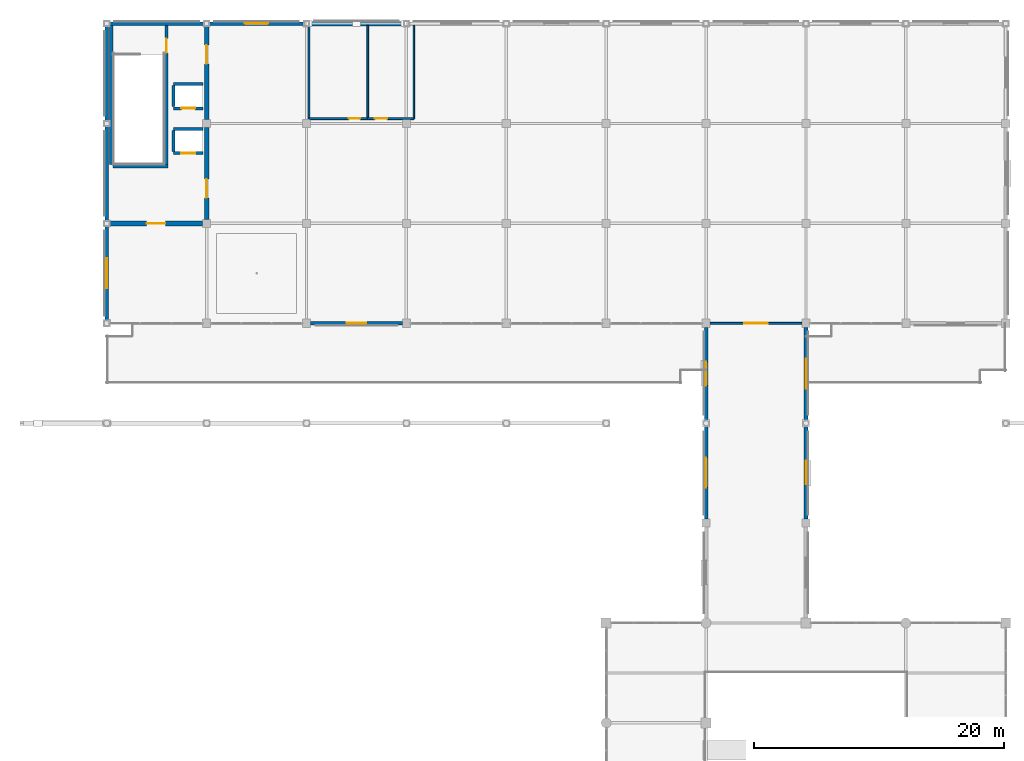
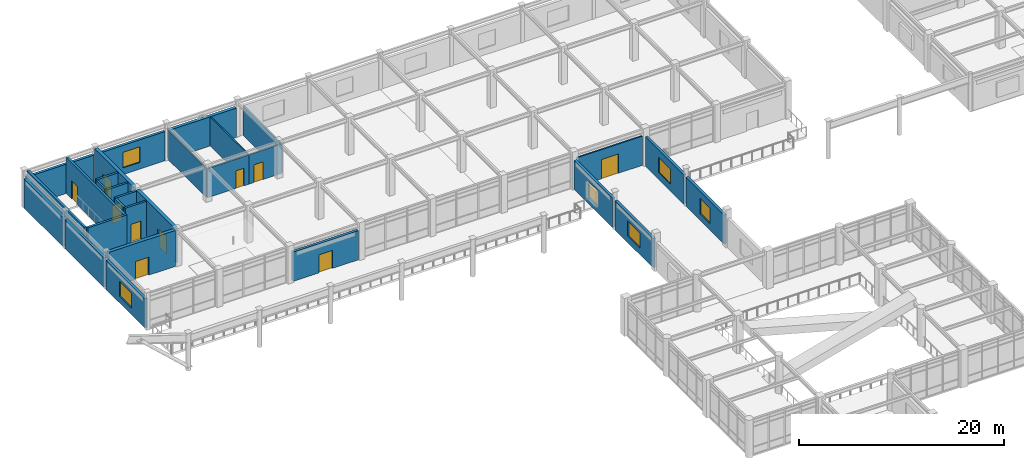
# One storey, part 62 of 78: 29 walls, 10 doors, 6 windows, 16 openings.
"""IFC4 building model written with IfcOpenShell, lengths in metres."""

from ifc_helpers import new_model, si_unit, direction, frame, frame_2d, origin, place, context, subcontext, project, spatial, rectangle, extrude, material, layer, layer_set, type_object, element, fill, save


model = new_model("IFC4")

# Units and contexts
model_context = context("Model", 3, precision=1e-05, world=origin(), true_north=direction((0.0, 1.0)))
body_context = subcontext(model_context, "Body", "Model", "MODEL_VIEW")
ifc_project = project(units=[si_unit("LENGTHUNIT", "METRE"), si_unit("AREAUNIT", "SQUARE_METRE"), si_unit("VOLUMEUNIT", "CUBIC_METRE"), si_unit("PLANEANGLEUNIT", "RADIAN"), si_unit("MASSUNIT", "GRAM", prefix="KILO")], contexts=[model_context])

# Site, building, storey
site_placement = place(None, origin())
site = spatial("IfcSite", under=ifc_project, at=site_placement, CompositionType="ELEMENT")
building_placement = place(site_placement, origin())
building = spatial("IfcBuilding", under=site, at=building_placement, Name="Solmirada Galleria", CompositionType="ELEMENT")
storey_placement = place(building_placement, frame((0.0, 0.0, 23.89990234375)))
storey = spatial("IfcBuildingStorey", under=building, at=storey_placement, Name="L05", CompositionType="ELEMENT", Elevation=23.89990234375)

# Wall, opening, door
ifc_material_1 = material(Name="Concrete C40/50", Category="concrete")
ifc_layer_1 = layer(ifc_material_1, 0.3798828125)
ifc_layer_set_1 = layer_set([ifc_layer_1], Name="Concrete C40/50")
wall_type_1 = type_object("IfcWallType", Name="WL-CORE-380", PredefinedType="SHEAR", material=ifc_layer_set_1)
wall_1_placement = place(storey_placement, frame((40.202880859375, 104.0, 0.0), z_axis=(0.0, 0.0, 1.0), x_axis=(1.0, 0.0, 0.0)))
wall_1 = element("IfcWall", 1, at=wall_1_placement, inside=storey, type_object=wall_type_1, Name="Core C1 shear wall L05 S1", PredefinedType="SHEAR", context=body_context, shape_type="SweptSolid", body=[
    extrude(rectangle(XDim=7.47216796875, YDim=0.3798828125, at=frame_2d((3.736083984375, 0.0))), origin(), (0.0, 0.0, 1.0), 4.280029296875),
])
opening_1_placement = place(wall_1_placement, frame((2.986083984375, 0.0, 0.0)))
opening_1 = element("IfcOpeningElement", 2, at=opening_1_placement, cuts=wall_1, Name="Opening LDY-126", PredefinedType="OPENING", context=body_context, shape_type="SweptSolid", body=[
    extrude(rectangle(XDim=1.5, YDim=2.14990234375, at=frame_2d((0.75, 1.074951171875))), frame((0.0, 0.199951171875, 0.0), z_axis=(0.0, -1.0, 0.0), x_axis=(1.0, 0.0, 0.0)), (0.0, 0.0, 1.0), 0.39990234375),
])
ifc_material_2 = material(Name="Fire-rated painted steel door assembly", Category="steel")
door_type_1 = type_object("IfcDoorType", Name="DR-LOBBY-150X215", OperationType="DOUBLE_DOOR_SINGLE_SWING", PredefinedType="DOOR", material=ifc_material_2)
door_1_placement = place(opening_1_placement, origin())
door_1 = element("IfcDoor", 3, at=door_1_placement, inside=storey, type_object=door_type_1, Name="Core C1 lobby access fire door LDY-126", OperationType="DOUBLE_DOOR_SINGLE_SWING", OverallHeight=2.14990234375, OverallWidth=1.5, PredefinedType="DOOR", context=body_context, shape_type="SweptSolid", body=[
    extrude(rectangle(XDim=1.5, YDim=2.14990234375, at=frame_2d((0.75, 1.074951171875))), frame((0.0, 0.02490234375, 0.0), z_axis=(0.0, -1.0, 0.0), x_axis=(1.0, 0.0, 0.0)), (0.0, 0.0, 1.0), 0.050048828125),
])
fill(opening_1, door_1)

wall_2_placement = place(storey_placement, frame((48.0, 104.324951171875, 0.0), z_axis=(0.0, 0.0, 1.0), x_axis=(0.0, 1.0, 0.0)))
wall_2 = element("IfcWall", 4, at=wall_2_placement, inside=storey, type_object=wall_type_1, Name="Core C1 shear wall L05 E1", PredefinedType="SHEAR", context=body_context, shape_type="SweptSolid", body=[
    extrude(rectangle(XDim=7.35009765625, YDim=0.3798828125, at=frame_2d((3.675048828125, 0.0))), origin(), (0.0, 0.0, 1.0), 4.280029296875),
])
opening_2_placement = place(wall_2_placement, frame((1.7119140625, 0.0, 0.0)))
opening_2 = element("IfcOpeningElement", 5, at=opening_2_placement, cuts=wall_2, Name="Opening LDY-127", PredefinedType="OPENING", context=body_context, shape_type="SweptSolid", body=[
    extrude(rectangle(XDim=1.5, YDim=2.14990234375, at=frame_2d((0.75, 1.074951171875))), frame((0.0, 0.199951171875, 0.0), z_axis=(0.0, -1.0, 0.0), x_axis=(1.0, 0.0, 0.0)), (0.0, 0.0, 1.0), 0.39990234375),
])
door_2_placement = place(opening_2_placement, origin())
door_2 = element("IfcDoor", 6, at=door_2_placement, inside=storey, type_object=door_type_1, Name="Core C1 lobby access fire door LDY-127", OperationType="DOUBLE_DOOR_SINGLE_SWING", OverallHeight=2.14990234375, OverallWidth=1.5, PredefinedType="DOOR", context=body_context, shape_type="SweptSolid", body=[
    extrude(rectangle(XDim=1.5, YDim=2.14990234375, at=frame_2d((0.75, 1.074951171875))), frame((0.0, 0.02490234375, 0.0), z_axis=(0.0, -1.0, 0.0), x_axis=(1.0, 0.0, 0.0)), (0.0, 0.0, 1.0), 0.050048828125),
])
fill(opening_2, door_2)

wall_3_placement = place(storey_placement, frame((48.0, 112.324951171875, 0.0), z_axis=(0.0, 0.0, 1.0), x_axis=(0.0, 1.0, 0.0)))
wall_3 = element("IfcWall", 7, at=wall_3_placement, inside=storey, type_object=wall_type_1, Name="Core C1 shear wall L05 E2", PredefinedType="SHEAR", context=body_context, shape_type="SweptSolid", body=[
    extrude(rectangle(XDim=7.47216796875, YDim=0.3798828125, at=frame_2d((3.736083984375, 0.0))), origin(), (0.0, 0.0, 1.0), 4.280029296875),
])
opening_3_placement = place(wall_3_placement, frame((4.447998046875, 0.0, 0.0)))
opening_3 = element("IfcOpeningElement", 8, at=opening_3_placement, cuts=wall_3, Name="Opening LDY-128", PredefinedType="OPENING", context=body_context, shape_type="SweptSolid", body=[
    extrude(rectangle(XDim=1.5, YDim=2.14990234375, at=frame_2d((0.75, 1.074951171875))), frame((0.0, 0.199951171875, 0.0), z_axis=(0.0, -1.0, 0.0), x_axis=(1.0, 0.0, 0.0)), (0.0, 0.0, 1.0), 0.39990234375),
])
door_3_placement = place(opening_3_placement, origin())
door_3 = element("IfcDoor", 9, at=door_3_placement, inside=storey, type_object=door_type_1, Name="Core C1 lobby access fire door LDY-128", OperationType="DOUBLE_DOOR_SINGLE_SWING", OverallHeight=2.14990234375, OverallWidth=1.5, PredefinedType="DOOR", context=body_context, shape_type="SweptSolid", body=[
    extrude(rectangle(XDim=1.5, YDim=2.14990234375, at=frame_2d((0.75, 1.074951171875))), frame((0.0, 0.02490234375, 0.0), z_axis=(0.0, -1.0, 0.0), x_axis=(1.0, 0.0, 0.0)), (0.0, 0.0, 1.0), 0.050048828125),
])
fill(opening_3, door_3)

# Wall, opening, window
ifc_material_3 = material(Name="Precast concrete C40/50", Category="concrete")
ifc_layer_2 = layer(ifc_material_3, 0.2900390625)
ifc_layer_set_2 = layer_set([ifc_layer_2], Name="Precast concrete C40/50")
wall_type_2 = type_object("IfcWallType", Name="WL-EXT-290", PredefinedType="STANDARD", material=ifc_layer_set_2)
wall_4_placement = place(storey_placement, frame((88.0, 80.324951171875, 0.0), z_axis=(0.0, 0.0, 1.0), x_axis=(0.0, 1.0, 0.0)))
wall_4 = element("IfcWall", 10, at=wall_4_placement, inside=storey, type_object=wall_type_2, Name="Exterior wall L05 bay 010", PredefinedType="STANDARD", context=body_context, shape_type="SweptSolid", body=[
    extrude(rectangle(XDim=7.446533203125, YDim=0.2900390625, at=frame_2d((3.72314453125, 0.0))), origin(), (0.0, 0.0, 1.0), 3.47998046875),
])
opening_4_placement = place(wall_4_placement, frame((2.52294921875, 0.0, 0.800048828125)))
opening_4 = element("IfcOpeningElement", 11, at=opening_4_placement, cuts=wall_4, Name="Opening WN27", PredefinedType="OPENING", context=body_context, shape_type="SweptSolid", body=[
    extrude(rectangle(XDim=2.39990234375, YDim=1.800048828125, at=frame_2d((1.199951171875, 0.89990234375))), frame((0.0, 0.155029296875, 0.0), z_axis=(0.0, -1.0, 0.0), x_axis=(1.0, 0.0, 0.0)), (0.0, 0.0, 1.0), 0.31005859375),
])
ifc_material_4 = material(Name="Impact-resistant low-E double glazing", Category="glass")
window_type_1 = type_object("IfcWindowType", Name="WIN-MOD-240X180", PartitioningType="DOUBLE_PANEL_VERTICAL", PredefinedType="WINDOW", material=ifc_material_4)
window_1_placement = place(opening_4_placement, origin())
window_1 = element("IfcWindow", 12, at=window_1_placement, inside=storey, type_object=window_type_1, Name="Window L05-151", OverallHeight=1.800048828125, OverallWidth=2.39990234375, PartitioningType="DOUBLE_PANEL_VERTICAL", PredefinedType="WINDOW", context=body_context, shape_type="SweptSolid", body=[
    extrude(rectangle(XDim=2.39990234375, YDim=1.800048828125, at=frame_2d((1.199951171875, 0.89990234375))), frame((0.0, 0.030029296875, 0.0), z_axis=(0.0, -1.0, 0.0), x_axis=(1.0, 0.0, 0.0)), (0.0, 0.0, 1.0), 0.06005859375),
])
fill(opening_4, window_1)

wall_5_placement = place(storey_placement, frame((88.0, 88.228515625, 0.0), z_axis=(0.0, 0.0, 1.0), x_axis=(0.0, 1.0, 0.0)))
wall_5 = element("IfcWall", 13, at=wall_5_placement, inside=storey, type_object=wall_type_2, Name="Exterior wall L05 bay 011", PredefinedType="STANDARD", context=body_context, shape_type="SweptSolid", body=[
    extrude(rectangle(XDim=7.446533203125, YDim=0.2900390625, at=frame_2d((3.72314453125, 0.0))), origin(), (0.0, 0.0, 1.0), 3.47998046875),
])
opening_5_placement = place(wall_5_placement, frame((2.77294921875, 0.0, 0.800048828125)))
opening_5 = element("IfcOpeningElement", 14, at=opening_5_placement, cuts=wall_5, Name="Opening WN5", PredefinedType="OPENING", context=body_context, shape_type="SweptSolid", body=[
    extrude(rectangle(XDim=1.89990234375, YDim=1.85009765625, at=frame_2d((0.949951171875, 0.925048828125))), frame((0.0, 0.155029296875, 0.0), z_axis=(0.0, -1.0, 0.0), x_axis=(1.0, 0.0, 0.0)), (0.0, 0.0, 1.0), 0.31005859375),
])
window_type_2 = type_object("IfcWindowType", Name="WIN-AVE-190X185", PartitioningType="SINGLE_PANEL", PredefinedType="WINDOW", material=ifc_material_4)
window_2_placement = place(opening_5_placement, origin())
window_2 = element("IfcWindow", 15, at=window_2_placement, inside=storey, type_object=window_type_2, Name="Window L05-152", OverallHeight=1.85009765625, OverallWidth=1.89990234375, PartitioningType="SINGLE_PANEL", PredefinedType="WINDOW", context=body_context, shape_type="SweptSolid", body=[
    extrude(rectangle(XDim=1.89990234375, YDim=1.85009765625, at=frame_2d((0.949951171875, 0.925048828125))), frame((0.0, 0.030029296875, 0.0), z_axis=(0.0, -1.0, 0.0), x_axis=(1.0, 0.0, 0.0)), (0.0, 0.0, 1.0), 0.06005859375),
])
fill(opening_5, window_2)

# Wall, opening, door
wall_6_placement = place(storey_placement, frame((63.675048828125, 96.0, 0.0), z_axis=(0.0, 0.0, 1.0), x_axis=(-1.0, 0.0, 0.0)))
wall_6 = element("IfcWall", 16, at=wall_6_placement, inside=storey, type_object=wall_type_2, Name="Exterior wall L05 bay 015", PredefinedType="STANDARD", context=body_context, shape_type="SweptSolid", body=[
    extrude(rectangle(XDim=7.35009765625, YDim=0.2900390625, at=frame_2d((3.675048828125, 0.0))), origin(), (0.0, 0.0, 1.0), 3.47998046875),
])
opening_6_placement = place(wall_6_placement, frame((2.89990234375, 0.0, 0.0)))
opening_6 = element("IfcOpeningElement", 17, at=opening_6_placement, cuts=wall_6, Name="Opening TD-077", PredefinedType="OPENING", context=body_context, shape_type="SweptSolid", body=[
    extrude(rectangle(XDim=1.550048828125, YDim=2.14990234375, at=frame_2d((0.77490234375, 1.074951171875))), frame((0.0, 0.155029296875, 0.0), z_axis=(0.0, -1.0, 0.0), x_axis=(1.0, 0.0, 0.0)), (0.0, 0.0, 1.0), 0.31005859375),
])
ifc_material_5 = material(Name="Thermally broken aluminium and laminated glass door", Category="aluminium")
door_type_2 = type_object("IfcDoorType", Name="DR-TERR-155X215", OperationType="DOUBLE_DOOR_SINGLE_SWING", PredefinedType="DOOR", material=ifc_material_5)
door_4_placement = place(opening_6_placement, origin())
door_4 = element("IfcDoor", 18, at=door_4_placement, inside=storey, type_object=door_type_2, Name="Planted terrace access door TD-077", OperationType="DOUBLE_DOOR_SINGLE_SWING", OverallHeight=2.14990234375, OverallWidth=1.550048828125, PredefinedType="DOOR", context=body_context, shape_type="SweptSolid", body=[
    extrude(rectangle(XDim=1.550048828125, YDim=2.14990234375, at=frame_2d((0.77490234375, 1.074951171875))), frame((0.0, 0.02490234375, 0.0), z_axis=(0.0, -1.0, 0.0), x_axis=(1.0, 0.0, 0.0)), (0.0, 0.0, 1.0), 0.050048828125),
])
fill(opening_6, door_4)

# Wall, opening, window
wall_7_placement = place(storey_placement, frame((40.0, 96.202880859375, 0.0), z_axis=(0.0, 0.0, 1.0), x_axis=(0.0, 1.0, 0.0)))
wall_7 = element("IfcWall", 19, at=wall_7_placement, inside=storey, type_object=wall_type_2, Name="Exterior wall L05 bay 018", PredefinedType="STANDARD", context=body_context, shape_type="SweptSolid", body=[
    extrude(rectangle(XDim=7.59423828125, YDim=0.2900390625, at=frame_2d((3.797119140625, 0.0))), origin(), (0.0, 0.0, 1.0), 3.47998046875),
])
opening_7_placement = place(wall_7_placement, frame((2.596923828125, 0.0, 0.800048828125)))
opening_7 = element("IfcOpeningElement", 20, at=opening_7_placement, cuts=wall_7, Name="Opening WN27", PredefinedType="OPENING", context=body_context, shape_type="SweptSolid", body=[
    extrude(rectangle(XDim=2.39990234375, YDim=1.800048828125, at=frame_2d((1.199951171875, 0.89990234375))), frame((0.0, 0.155029296875, 0.0), z_axis=(0.0, -1.0, 0.0), x_axis=(1.0, 0.0, 0.0)), (0.0, 0.0, 1.0), 0.31005859375),
])
window_3_placement = place(opening_7_placement, origin())
window_3 = element("IfcWindow", 21, at=window_3_placement, inside=storey, type_object=window_type_1, Name="Window L05-153", OverallHeight=1.800048828125, OverallWidth=2.39990234375, PartitioningType="DOUBLE_PANEL_VERTICAL", PredefinedType="WINDOW", context=body_context, shape_type="SweptSolid", body=[
    extrude(rectangle(XDim=2.39990234375, YDim=1.800048828125, at=frame_2d((1.199951171875, 0.89990234375))), frame((0.0, 0.030029296875, 0.0), z_axis=(0.0, -1.0, 0.0), x_axis=(1.0, 0.0, 0.0)), (0.0, 0.0, 1.0), 0.06005859375),
])
fill(opening_7, window_3)

# Walls
for number, where, z_axis, x_axis, name in (
    (22, (40.0, 104.202880859375, 0.0), (0.0, 0.0, 1.0), (0.0, 1.0, 0.0), "Exterior wall L05 bay 019"),
    (23, (40.0, 112.202880859375, 0.0), (0.0, 0.0, 1.0), (0.0, 1.0, 0.0), "Exterior wall L05 bay 020"),
    (24, (40.202880859375, 120.0, 0.0), (0.0, 0.0, 1.0), (1.0, 0.0, 0.0), "Exterior wall L05 bay 021"),
):
    element("IfcWall", number, at=place(storey_placement, frame(where, z_axis=z_axis, x_axis=x_axis)), inside=storey, type_object=wall_type_2, Name=name, PredefinedType="STANDARD", context=body_context, shape_type="SweptSolid", body=[
        extrude(rectangle(XDim=7.59423828125, YDim=0.2900390625, at=frame_2d((3.797119140625, 0.0))), origin(), (0.0, 0.0, 1.0), 3.47998046875),
    ])

# Wall, opening, window
wall_8_placement = place(storey_placement, frame((48.202880859375, 120.0, 0.0), z_axis=(0.0, 0.0, 1.0), x_axis=(1.0, 0.0, 0.0)))
wall_8 = element("IfcWall", 25, at=wall_8_placement, inside=storey, type_object=wall_type_2, Name="Exterior wall L05 bay 022", PredefinedType="STANDARD", context=body_context, shape_type="SweptSolid", body=[
    extrude(rectangle(XDim=7.59423828125, YDim=0.2900390625, at=frame_2d((3.797119140625, 0.0))), origin(), (0.0, 0.0, 1.0), 3.47998046875),
])
opening_8_placement = place(wall_8_placement, frame((2.846923828125, 0.0, 0.800048828125)))
opening_8 = element("IfcOpeningElement", 26, at=opening_8_placement, cuts=wall_8, Name="Opening WN5", PredefinedType="OPENING", context=body_context, shape_type="SweptSolid", body=[
    extrude(rectangle(XDim=1.89990234375, YDim=1.85009765625, at=frame_2d((0.949951171875, 0.925048828125))), frame((0.0, 0.155029296875, 0.0), z_axis=(0.0, -1.0, 0.0), x_axis=(1.0, 0.0, 0.0)), (0.0, 0.0, 1.0), 0.31005859375),
])
window_4_placement = place(opening_8_placement, origin())
window_4 = element("IfcWindow", 27, at=window_4_placement, inside=storey, type_object=window_type_2, Name="Window L05-154", OverallHeight=1.85009765625, OverallWidth=1.89990234375, PartitioningType="SINGLE_PANEL", PredefinedType="WINDOW", context=body_context, shape_type="SweptSolid", body=[
    extrude(rectangle(XDim=1.89990234375, YDim=1.85009765625, at=frame_2d((0.949951171875, 0.925048828125))), frame((0.0, 0.030029296875, 0.0), z_axis=(0.0, -1.0, 0.0), x_axis=(1.0, 0.0, 0.0)), (0.0, 0.0, 1.0), 0.06005859375),
])
fill(opening_8, window_4)

wall_9_placement = place(storey_placement, frame((96.0, 95.675048828125, 0.0), z_axis=(0.0, 0.0, 1.0), x_axis=(0.0, -1.0, 0.0)))
wall_9 = element("IfcWall", 28, at=wall_9_placement, inside=storey, type_object=wall_type_2, Name="Exterior wall L05 bay 035", PredefinedType="STANDARD", context=body_context, shape_type="SweptSolid", body=[
    extrude(rectangle(XDim=7.446533203125, YDim=0.2900390625, at=frame_2d((3.72314453125, 0.0))), origin(), (0.0, 0.0, 1.0), 3.47998046875),
])
opening_9_placement = place(wall_9_placement, frame((2.52294921875, 0.0, 0.800048828125)))
opening_9 = element("IfcOpeningElement", 29, at=opening_9_placement, cuts=wall_9, Name="Opening WN27", PredefinedType="OPENING", context=body_context, shape_type="SweptSolid", body=[
    extrude(rectangle(XDim=2.39990234375, YDim=1.800048828125, at=frame_2d((1.199951171875, 0.89990234375))), frame((0.0, 0.155029296875, 0.0), z_axis=(0.0, -1.0, 0.0), x_axis=(1.0, 0.0, 0.0)), (0.0, 0.0, 1.0), 0.31005859375),
])
window_5_placement = place(opening_9_placement, origin())
window_5 = element("IfcWindow", 30, at=window_5_placement, inside=storey, type_object=window_type_1, Name="Window L05-163", OverallHeight=1.800048828125, OverallWidth=2.39990234375, PartitioningType="DOUBLE_PANEL_VERTICAL", PredefinedType="WINDOW", context=body_context, shape_type="SweptSolid", body=[
    extrude(rectangle(XDim=2.39990234375, YDim=1.800048828125, at=frame_2d((1.199951171875, 0.89990234375))), frame((0.0, 0.030029296875, 0.0), z_axis=(0.0, -1.0, 0.0), x_axis=(1.0, 0.0, 0.0)), (0.0, 0.0, 1.0), 0.06005859375),
])
fill(opening_9, window_5)

wall_10_placement = place(storey_placement, frame((96.0, 87.771484375, 0.0), z_axis=(0.0, 0.0, 1.0), x_axis=(0.0, -1.0, 0.0)))
wall_10 = element("IfcWall", 31, at=wall_10_placement, inside=storey, type_object=wall_type_2, Name="Exterior wall L05 bay 036", PredefinedType="STANDARD", context=body_context, shape_type="SweptSolid", body=[
    extrude(rectangle(XDim=7.446533203125, YDim=0.2900390625, at=frame_2d((3.72314453125, 0.0))), origin(), (0.0, 0.0, 1.0), 3.47998046875),
])
opening_10_placement = place(wall_10_placement, frame((2.77294921875, 0.0, 0.800048828125)))
opening_10 = element("IfcOpeningElement", 32, at=opening_10_placement, cuts=wall_10, Name="Opening WN5", PredefinedType="OPENING", context=body_context, shape_type="SweptSolid", body=[
    extrude(rectangle(XDim=1.89990234375, YDim=1.85009765625, at=frame_2d((0.949951171875, 0.925048828125))), frame((0.0, 0.155029296875, 0.0), z_axis=(0.0, -1.0, 0.0), x_axis=(1.0, 0.0, 0.0)), (0.0, 0.0, 1.0), 0.31005859375),
])
window_6_placement = place(opening_10_placement, origin())
window_6 = element("IfcWindow", 33, at=window_6_placement, inside=storey, type_object=window_type_2, Name="Window L05-164", OverallHeight=1.85009765625, OverallWidth=1.89990234375, PartitioningType="SINGLE_PANEL", PredefinedType="WINDOW", context=body_context, shape_type="SweptSolid", body=[
    extrude(rectangle(XDim=1.89990234375, YDim=1.85009765625, at=frame_2d((0.949951171875, 0.925048828125))), frame((0.0, 0.030029296875, 0.0), z_axis=(0.0, -1.0, 0.0), x_axis=(1.0, 0.0, 0.0)), (0.0, 0.0, 1.0), 0.06005859375),
])
fill(opening_10, window_6)

# Wall, opening, door
ifc_layer_3 = layer(ifc_material_1, 0.239990234375)
ifc_layer_set_3 = layer_set([ifc_layer_3], Name="Concrete C40/50")
wall_type_3 = type_object("IfcWallType", Name="WL-HOIST-240", PredefinedType="PARTITIONING", material=ifc_layer_set_3)
wall_11_placement = place(storey_placement, frame((45.344970703125, 113.219970703125, 0.0), z_axis=(0.0, 0.0, 1.0), x_axis=(1.0, 0.0, 0.0)))
wall_11 = element("IfcWall", 34, at=wall_11_placement, inside=storey, type_object=wall_type_3, Name="Lift LP1 hoistway front wall L05", PredefinedType="PARTITIONING", context=body_context, shape_type="SweptSolid", body=[
    extrude(rectangle(XDim=2.375, YDim=0.239990234375, at=frame_2d((1.1875, 0.0))), origin(), (0.0, 0.0, 1.0), 4.280029296875),
])
opening_11_placement = place(wall_11_placement, frame((0.636962890625, 0.0, 0.0)))
opening_11 = element("IfcOpeningElement", 35, at=opening_11_placement, cuts=wall_11, Name="Opening LD-LP1-L05", PredefinedType="OPENING", context=body_context, shape_type="SweptSolid", body=[
    extrude(rectangle(XDim=1.10009765625, YDim=2.14990234375, at=frame_2d((0.550048828125, 1.074951171875))), frame((0.0, 0.1298828125, 0.0), z_axis=(0.0, -1.0, 0.0), x_axis=(1.0, 0.0, 0.0)), (0.0, 0.0, 1.0), 0.260009765625),
])
ifc_material_6 = material(Name="Brushed stainless-steel sliding landing door", Category="steel")
door_type_3 = type_object("IfcDoorType", Name="DR-LIFT-110X215", OperationType="SLIDING_TO_LEFT", PredefinedType="DOOR", material=ifc_material_6)
door_5_placement = place(opening_11_placement, origin())
door_5 = element("IfcDoor", 36, at=door_5_placement, inside=storey, type_object=door_type_3, Name="Lift LP1 sliding landing door L05", OperationType="SLIDING_TO_LEFT", OverallHeight=2.14990234375, OverallWidth=1.10009765625, PredefinedType="DOOR", context=body_context, shape_type="SweptSolid", body=[
    extrude(rectangle(XDim=1.10009765625, YDim=2.14990234375, at=frame_2d((0.550048828125, 1.074951171875))), frame((0.0, 0.02490234375, 0.0), z_axis=(0.0, -1.0, 0.0), x_axis=(1.0, 0.0, 0.0)), (0.0, 0.0, 1.0), 0.050048828125),
])
fill(opening_11, door_5)

# Walls
wall_12_placement = place(storey_placement, frame((45.344970703125, 115.179931640625, 0.0), z_axis=(0.0, 0.0, 1.0), x_axis=(1.0, 0.0, 0.0)))
element("IfcWall", 37, at=wall_12_placement, inside=storey, type_object=wall_type_3, Name="Lift LP1 hoistway rear wall L05", PredefinedType="PARTITIONING", context=body_context, shape_type="SweptSolid", body=[
    extrude(rectangle(XDim=2.375, YDim=0.239990234375, at=frame_2d((1.1875, 0.0))), origin(), (0.0, 0.0, 1.0), 4.280029296875),
])
wall_13_placement = place(storey_placement, frame((45.344970703125, 113.360107421875, 0.0), z_axis=(0.0, 0.0, 1.0), x_axis=(0.0, 1.0, 0.0)))
element("IfcWall", 38, at=wall_13_placement, inside=storey, type_object=wall_type_3, Name="Lift LP1 hoistway side wall L L05", PredefinedType="PARTITIONING", context=body_context, shape_type="SweptSolid", body=[
    extrude(rectangle(XDim=1.679931640625, YDim=0.239990234375, at=frame_2d((0.83984375, 0.0))), origin(), (0.0, 0.0, 1.0), 4.280029296875),
])

# Wall, opening, door
wall_14_placement = place(storey_placement, frame((45.344970703125, 109.6201171875, 0.0), z_axis=(0.0, 0.0, 1.0), x_axis=(1.0, 0.0, 0.0)))
wall_14 = element("IfcWall", 39, at=wall_14_placement, inside=storey, type_object=wall_type_3, Name="Lift LP2 hoistway front wall L05", PredefinedType="PARTITIONING", context=body_context, shape_type="SweptSolid", body=[
    extrude(rectangle(XDim=2.375, YDim=0.239990234375, at=frame_2d((1.1875, 0.0))), origin(), (0.0, 0.0, 1.0), 4.280029296875),
])
opening_12_placement = place(wall_14_placement, frame((0.636962890625, 0.0, 0.0)))
opening_12 = element("IfcOpeningElement", 40, at=opening_12_placement, cuts=wall_14, Name="Opening LD-LP2-L05", PredefinedType="OPENING", context=body_context, shape_type="SweptSolid", body=[
    extrude(rectangle(XDim=1.10009765625, YDim=2.14990234375, at=frame_2d((0.550048828125, 1.074951171875))), frame((0.0, 0.1298828125, 0.0), z_axis=(0.0, -1.0, 0.0), x_axis=(1.0, 0.0, 0.0)), (0.0, 0.0, 1.0), 0.260009765625),
])
door_6_placement = place(opening_12_placement, origin())
door_6 = element("IfcDoor", 41, at=door_6_placement, inside=storey, type_object=door_type_3, Name="Lift LP2 sliding landing door L05", OperationType="SLIDING_TO_LEFT", OverallHeight=2.14990234375, OverallWidth=1.10009765625, PredefinedType="DOOR", context=body_context, shape_type="SweptSolid", body=[
    extrude(rectangle(XDim=1.10009765625, YDim=2.14990234375, at=frame_2d((0.550048828125, 1.074951171875))), frame((0.0, 0.02490234375, 0.0), z_axis=(0.0, -1.0, 0.0), x_axis=(1.0, 0.0, 0.0)), (0.0, 0.0, 1.0), 0.050048828125),
])
fill(opening_12, door_6)

# Walls
wall_15_placement = place(storey_placement, frame((45.344970703125, 111.580078125, 0.0), z_axis=(0.0, 0.0, 1.0), x_axis=(1.0, 0.0, 0.0)))
element("IfcWall", 42, at=wall_15_placement, inside=storey, type_object=wall_type_3, Name="Lift LP2 hoistway rear wall L05", PredefinedType="PARTITIONING", context=body_context, shape_type="SweptSolid", body=[
    extrude(rectangle(XDim=2.375, YDim=0.239990234375, at=frame_2d((1.1875, 0.0))), origin(), (0.0, 0.0, 1.0), 4.280029296875),
])
wall_16_placement = place(storey_placement, frame((45.344970703125, 109.760009765625, 0.0), z_axis=(0.0, 0.0, 1.0), x_axis=(0.0, 1.0, 0.0)))
element("IfcWall", 43, at=wall_16_placement, inside=storey, type_object=wall_type_3, Name="Lift LP2 hoistway side wall L L05", PredefinedType="PARTITIONING", context=body_context, shape_type="SweptSolid", body=[
    extrude(rectangle(XDim=1.679931640625, YDim=0.239990234375, at=frame_2d((0.83984375, 0.0))), origin(), (0.0, 0.0, 1.0), 4.280029296875),
])
ifc_material_7 = material(Name="Acoustic gypsum board partition")
ifc_layer_4 = layer(ifc_material_7, 0.135009765625)
ifc_layer_set_4 = layer_set([ifc_layer_4], Name="Acoustic gypsum board partition")
wall_type_4 = type_object("IfcWallType", Name="WL-PART-135", PredefinedType="PARTITIONING", material=ifc_layer_set_4)
for number, where, z_axis, x_axis, name in (
    (44, (56.199951171875, 112.39990234375, 0.0), (0.0, 0.0, 1.0), (0.0, 1.0, 0.0), "Partition L05-145 (North WC West)"),
    (45, (60.89990234375, 112.39990234375, 0.0), (0.0, 0.0, 1.0), (0.0, 1.0, 0.0), "Partition L05-146 (North WC Divider)"),
    (46, (64.60009765625, 112.39990234375, 0.0), (0.0, 0.0, 1.0), (0.0, 1.0, 0.0), "Partition L05-147 (North WC East)"),
):
    element("IfcWall", number, at=place(storey_placement, frame(where, z_axis=z_axis, x_axis=x_axis)), inside=storey, type_object=wall_type_4, Name=name, PredefinedType="PARTITIONING", context=body_context, shape_type="SweptSolid", body=[
        extrude(rectangle(XDim=7.4501953125, YDim=0.135009765625, at=frame_2d((3.72509765625, 0.0))), origin(), (0.0, 0.0, 1.0), 3.47998046875),
    ])

# Wall, opening, door
ifc_layer_5 = layer(ifc_material_7, 0.159912109375)
ifc_layer_set_5 = layer_set([ifc_layer_5], Name="Acoustic gypsum board partition")
wall_type_5 = type_object("IfcWallType", Name="WL-PART-160", PredefinedType="PARTITIONING", material=ifc_layer_set_5)
wall_17_placement = place(storey_placement, frame((56.199951171875, 112.39990234375, 0.0), z_axis=(0.0, 0.0, 1.0), x_axis=(1.0, 0.0, 0.0)))
wall_17 = element("IfcWall", 47, at=wall_17_placement, inside=storey, type_object=wall_type_5, Name="Partition L05-143 (North Restroom)", PredefinedType="PARTITIONING", context=body_context, shape_type="SweptSolid", body=[
    extrude(rectangle(XDim=4.699951171875, YDim=0.159912109375, at=frame_2d((2.35009765625, 0.0))), origin(), (0.0, 0.0, 1.0), 3.47998046875),
])
opening_13_placement = place(wall_17_placement, frame((3.193115234375, 0.0, 0.0)))
opening_13 = element("IfcOpeningElement", 48, at=opening_13_placement, cuts=wall_17, Name="Opening ID-363", PredefinedType="OPENING", context=body_context, shape_type="SweptSolid", body=[
    extrude(rectangle(XDim=0.919921875, YDim=2.10009765625, at=frame_2d((0.4599609375, 1.050048828125))), frame((0.0, 0.08984375, 0.0), z_axis=(0.0, -1.0, 0.0), x_axis=(1.0, 0.0, 0.0)), (0.0, 0.0, 1.0), 0.179931640625),
])
ifc_material_8 = material(Name="Architectural hardwood veneer door", Category="wood")
door_type_4 = type_object("IfcDoorType", Name="DR-WC-092X210", OperationType="NOTDEFINED", PredefinedType="DOOR", material=ifc_material_8)
door_7_placement = place(opening_13_placement, origin())
door_7 = element("IfcDoor", 49, at=door_7_placement, inside=storey, type_object=door_type_4, Name="North Restroom door ID-363", OperationType="SINGLE_SWING_LEFT", OverallHeight=2.10009765625, OverallWidth=0.919921875, PredefinedType="DOOR", context=body_context, shape_type="SweptSolid", body=[
    extrude(rectangle(XDim=0.919921875, YDim=2.10009765625, at=frame_2d((0.4599609375, 1.050048828125))), frame((0.0, 0.02490234375, 0.0), z_axis=(0.0, -1.0, 0.0), x_axis=(1.0, 0.0, 0.0)), (0.0, 0.0, 1.0), 0.050048828125),
])
fill(opening_13, door_7)

wall_18_placement = place(storey_placement, frame((60.89990234375, 112.39990234375, 0.0), z_axis=(0.0, 0.0, 1.0), x_axis=(1.0, 0.0, 0.0)))
wall_18 = element("IfcWall", 50, at=wall_18_placement, inside=storey, type_object=wall_type_5, Name="Partition L05-144 (North Accessible WC)", PredefinedType="PARTITIONING", context=body_context, shape_type="SweptSolid", body=[
    extrude(rectangle(XDim=3.7001953125, YDim=0.159912109375, at=frame_2d((1.85009765625, 0.0))), origin(), (0.0, 0.0, 1.0), 3.47998046875),
])
opening_14_placement = place(wall_18_placement, frame((0.548095703125, 0.0, 0.0)))
opening_14 = element("IfcOpeningElement", 51, at=opening_14_placement, cuts=wall_18, Name="Opening ID-364", PredefinedType="OPENING", context=body_context, shape_type="SweptSolid", body=[
    extrude(rectangle(XDim=1.02001953125, YDim=2.10009765625, at=frame_2d((0.510009765625, 1.050048828125))), frame((0.0, 0.08984375, 0.0), z_axis=(0.0, -1.0, 0.0), x_axis=(1.0, 0.0, 0.0)), (0.0, 0.0, 1.0), 0.179931640625),
])
door_type_5 = type_object("IfcDoorType", Name="DR-AWC-102X210", OperationType="NOTDEFINED", PredefinedType="DOOR", material=ifc_material_8)
door_8_placement = place(opening_14_placement, origin())
door_8 = element("IfcDoor", 52, at=door_8_placement, inside=storey, type_object=door_type_5, Name="North Accessible WC door ID-364", OperationType="SINGLE_SWING_RIGHT", OverallHeight=2.10009765625, OverallWidth=1.02001953125, PredefinedType="DOOR", context=body_context, shape_type="SweptSolid", body=[
    extrude(rectangle(XDim=1.02001953125, YDim=2.10009765625, at=frame_2d((0.510009765625, 1.050048828125))), frame((0.0, 0.02490234375, 0.0), z_axis=(0.0, -1.0, 0.0), x_axis=(1.0, 0.0, 0.0)), (0.0, 0.0, 1.0), 0.050048828125),
])
fill(opening_14, door_8)

wall_19_placement = place(storey_placement, frame((88.324951171875, 96.0, 0.0), z_axis=(0.0, 0.0, 1.0), x_axis=(1.0, 0.0, 0.0)))
wall_19 = element("IfcWall", 53, at=wall_19_placement, inside=storey, type_object=wall_type_5, Name="Partition L05-148 (North Atrium Link L05)", PredefinedType="PARTITIONING", context=body_context, shape_type="SweptSolid", body=[
    extrude(rectangle(XDim=7.35009765625, YDim=0.159912109375, at=frame_2d((3.675048828125, 0.0))), origin(), (0.0, 0.0, 1.0), 3.47998046875),
])
opening_15_placement = place(wall_19_placement, frame((2.72509765625, 0.0, 0.0)))
opening_15 = element("IfcOpeningElement", 54, at=opening_15_placement, cuts=wall_19, Name="Opening ID-365", PredefinedType="OPENING", context=body_context, shape_type="SweptSolid", body=[
    extrude(rectangle(XDim=1.89990234375, YDim=2.300048828125, at=frame_2d((0.949951171875, 1.14990234375))), frame((0.0, 0.08984375, 0.0), z_axis=(0.0, -1.0, 0.0), x_axis=(1.0, 0.0, 0.0)), (0.0, 0.0, 1.0), 0.179931640625),
])
door_type_6 = type_object("IfcDoorType", Name="DR-DEPT-190X230", OperationType="DOUBLE_DOOR_SINGLE_SWING", PredefinedType="DOOR", material=ifc_material_8)
door_9_placement = place(opening_15_placement, origin())
door_9 = element("IfcDoor", 55, at=door_9_placement, inside=storey, type_object=door_type_6, Name="North Atrium Link L05 door ID-365", OperationType="DOUBLE_DOOR_SINGLE_SWING", OverallHeight=2.300048828125, OverallWidth=1.89990234375, PredefinedType="DOOR", context=body_context, shape_type="SweptSolid", body=[
    extrude(rectangle(XDim=1.89990234375, YDim=2.300048828125, at=frame_2d((0.949951171875, 1.14990234375))), frame((0.0, 0.02490234375, 0.0), z_axis=(0.0, -1.0, 0.0), x_axis=(1.0, 0.0, 0.0)), (0.0, 0.0, 1.0), 0.050048828125),
])
fill(opening_15, door_9)

# Walls
ifc_layer_6 = layer(ifc_material_1, 0.260009765625)
ifc_layer_set_6 = layer_set([ifc_layer_6], Name="Concrete C40/50")
wall_type_6 = type_object("IfcWallType", Name="WL-SHAFT-260", PredefinedType="SHEAR", material=ifc_layer_set_6)
wall_20_placement = place(storey_placement, frame((40.5, 108.570068359375, 0.0), z_axis=(0.0, 0.0, 1.0), x_axis=(1.0, 0.0, 0.0)))
element("IfcWall", 56, at=wall_20_placement, inside=storey, type_object=wall_type_6, Name="Stair ST1 enclosure wall L05 S", PredefinedType="SHEAR", context=body_context, shape_type="SweptSolid", body=[
    extrude(rectangle(XDim=4.409912109375, YDim=0.260009765625, at=frame_2d((2.205078125, 0.0))), origin(), (0.0, 0.0, 1.0), 4.280029296875),
])
wall_21_placement = place(storey_placement, frame((40.3701171875, 108.699951171875, 0.0), z_axis=(0.0, 0.0, 1.0), x_axis=(0.0, 1.0, 0.0)))
element("IfcWall", 57, at=wall_21_placement, inside=storey, type_object=wall_type_6, Name="Stair ST1 enclosure wall L05 W", PredefinedType="SHEAR", context=body_context, shape_type="SweptSolid", body=[
    extrude(rectangle(XDim=11.155029296875, YDim=0.260009765625, at=frame_2d((5.57763671875, 0.0))), origin(), (0.0, 0.0, 1.0), 4.280029296875),
])

# Wall, opening, door
wall_22_placement = place(storey_placement, frame((44.780029296875, 108.699951171875, 0.0), z_axis=(0.0, 0.0, 1.0), x_axis=(0.0, 1.0, 0.0)))
wall_22 = element("IfcWall", 58, at=wall_22_placement, inside=storey, type_object=wall_type_6, Name="Stair ST1 enclosure wall L05 E", PredefinedType="SHEAR", context=body_context, shape_type="SweptSolid", body=[
    extrude(rectangle(XDim=11.155029296875, YDim=0.260009765625, at=frame_2d((5.57763671875, 0.0))), origin(), (0.0, 0.0, 1.0), 4.280029296875),
])
opening_16_placement = place(wall_22_placement, frame((8.949951171875, 0.0, 0.0)))
opening_16 = element("IfcOpeningElement", 59, at=opening_16_placement, cuts=wall_22, Name="Opening SD-125", PredefinedType="OPENING", context=body_context, shape_type="SweptSolid", body=[
    extrude(rectangle(XDim=1.14990234375, YDim=2.14990234375, at=frame_2d((0.574951171875, 1.074951171875))), frame((0.0, 0.139892578125, 0.0), z_axis=(0.0, -1.0, 0.0), x_axis=(1.0, 0.0, 0.0)), (0.0, 0.0, 1.0), 0.280029296875),
])
door_type_7 = type_object("IfcDoorType", Name="DR-STAIR-115X215", OperationType="NOTDEFINED", PredefinedType="DOOR", material=ifc_material_2)
door_10_placement = place(opening_16_placement, origin())
door_10 = element("IfcDoor", 60, at=door_10_placement, inside=storey, type_object=door_type_7, Name="Exit stair ST1 enclosure fire door SD-125", OperationType="SINGLE_SWING_RIGHT", OverallHeight=2.14990234375, OverallWidth=1.14990234375, PredefinedType="DOOR", context=body_context, shape_type="SweptSolid", body=[
    extrude(rectangle(XDim=1.14990234375, YDim=2.14990234375, at=frame_2d((0.574951171875, 1.074951171875))), frame((0.0, 0.02490234375, 0.0), z_axis=(0.0, -1.0, 0.0), x_axis=(1.0, 0.0, 0.0)), (0.0, 0.0, 1.0), 0.050048828125),
])
fill(opening_16, door_10)

# Wall
ifc_material_9 = material(Name="Architectural concrete masonry C30/37", Category="masonry")
ifc_layer_7 = layer(ifc_material_9, 0.360107421875)
ifc_layer_set_7 = layer_set([ifc_layer_7], Name="Architectural concrete masonry C30/37")
wall_type_7 = type_object("IfcWallType", Name="WL-SOLID-360", PredefinedType="SOLIDWALL", material=ifc_layer_set_7)
wall_23_placement = place(storey_placement, frame((56.202880859375, 120.0, 0.0), z_axis=(0.0, 0.0, 1.0), x_axis=(1.0, 0.0, 0.0)))
element("IfcWall", 61, at=wall_23_placement, inside=storey, type_object=wall_type_7, Name="Exterior wall L05 bay 023", PredefinedType="SOLIDWALL", context=body_context, shape_type="SweptSolid", body=[
    extrude(rectangle(XDim=7.59423828125, YDim=0.360107421875, at=frame_2d((3.797119140625, 0.0))), origin(), (0.0, 0.0, 1.0), 3.47998046875),
])

save(model, "model.ifc")
